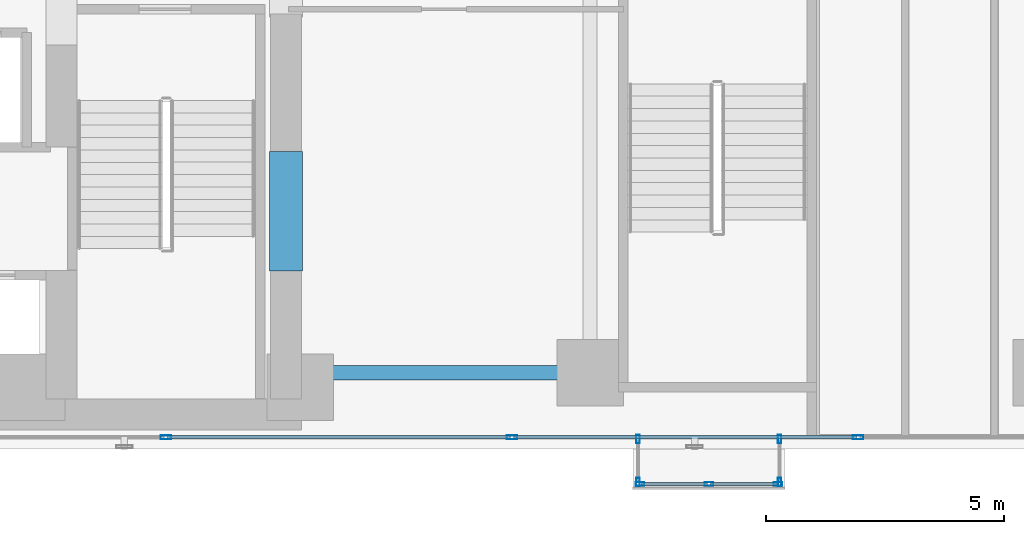
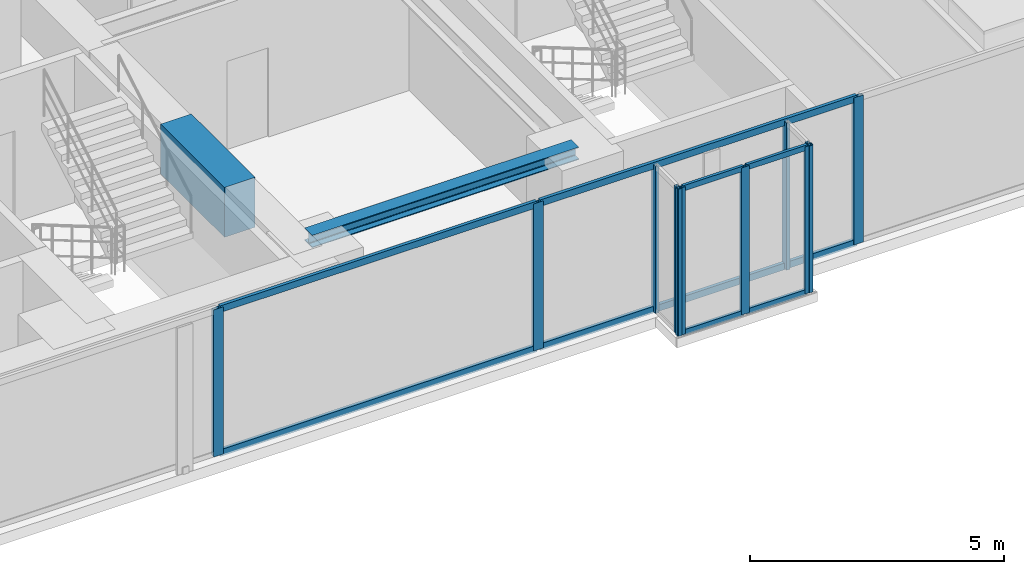
# One storey, part 4 of 24: 18 members, 2 beams, 4 elements without a shape of their own.
"""IFC4 building model written with IfcOpenShell, lengths in metres."""

from ifc_helpers import new_model, si_unit, direction, frame, origin, origin_with_axes, origin_2d, place, context, subcontext, project, spatial, rectangle, hollow_rectangle, i_section, extrude, source, transform, mapped, material, layer, layer_set, material_profile, profile_set, type_object, element, aggregate, save


model = new_model("IFC4")

# Units and contexts
model_context = context("Model", 3, precision=1e-05, world=origin(), true_north=direction((0.0, 1.0)))
body_context = subcontext(model_context, "Body", "Model", "MODEL_VIEW")
ifc_project = project(units=[si_unit("LENGTHUNIT", "METRE"), si_unit("AREAUNIT", "SQUARE_METRE"), si_unit("VOLUMEUNIT", "CUBIC_METRE"), si_unit("PLANEANGLEUNIT", "RADIAN"), si_unit("MASSUNIT", "GRAM", prefix="KILO")], contexts=[model_context])

# Site, building, storey
site_placement = place(None, origin())
site = spatial("IfcSite", under=ifc_project, at=site_placement, CompositionType="ELEMENT")
building_placement = place(site_placement, origin())
building = spatial("IfcBuilding", under=site, at=building_placement, Name="Kolvaren Waterfront Exchange", CompositionType="ELEMENT")
storey_placement = place(building_placement, frame((0.0, 0.0, 95.5)))
storey = spatial("IfcBuildingStorey", under=building, at=storey_placement, Name="L24", CompositionType="ELEMENT", Elevation=95.5)

# Beams
ifc_material_1 = material(Name="Steel S355", Category="steel")
ifc_material_profile_1 = material_profile(ifc_material_1, i_section(OverallWidth=0.300048828125, OverallDepth=0.300048828125, WebThickness=0.010986328125, FlangeThickness=0.01904296875, FilletRadius=0.027099609375, at=origin_2d()), Name="HEB300")
ifc_profile_set_1 = profile_set([ifc_material_profile_1], Name="Steel S355")
beam_type_1 = type_object("IfcBeamType", Name="STR-BM-HEB300", PredefinedType="SPANDREL", material=ifc_profile_set_1)
beam_1_placement = place(storey_placement, frame((21.125, 5.199951171875, 3.389892578125), z_axis=(1.0, 0.0, 0.0), x_axis=(0.0, 1.0, 0.0)))
element("IfcBeam", 1, at=beam_1_placement, inside=storey, type_object=beam_type_1, Name="L24 east-arm spandrel S1", PredefinedType="SPANDREL", context=body_context, shape_type="SweptSolid", body=[
    extrude(i_section(OverallWidth=0.300048828125, OverallDepth=0.300048828125, WebThickness=0.010986328125, FlangeThickness=0.01904296875, FilletRadius=0.027099609375, at=origin_2d()), origin(), (0.0, 0.0, 1.0), 6.074951171875),
])
ifc_material_2 = material(Name="Concrete C70/85", Category="concrete")
ifc_material_profile_2 = material_profile(ifc_material_2, rectangle(XDim=0.699951171875, YDim=1.199951171875, at=origin_2d()), Name="RC-CB-1200x700")
ifc_profile_set_2 = profile_set([ifc_material_profile_2], Name="Concrete C70/85")
beam_type_2 = type_object("IfcBeamType", Name="STR-CB-1200", PredefinedType="SPANDREL", material=ifc_profile_set_2)
beam_2_placement = place(storey_placement, frame((20.800048828125, 7.340087890625, 2.93994140625), z_axis=(0.0, 1.0, 0.0), x_axis=(-1.0, 0.0, 0.0)))
element("IfcBeam", 2, at=beam_2_placement, inside=storey, type_object=beam_type_2, Name="L24 core coupling beam 1", PredefinedType="SPANDREL", context=body_context, shape_type="SweptSolid", body=[
    extrude(rectangle(XDim=0.699951171875, YDim=1.199951171875, at=origin_2d()), origin(), (0.0, 0.0, 1.0), 2.52001953125),
])

# Curtain wall, members
ifc_material_3 = material(Name="Anodised bronze aluminium 6063-T6", Category="aluminium")
ifc_layer_1 = layer(ifc_material_3, 0.219970703125, Name="Anodised bronze aluminium 6063-T6")
ifc_layer_set_1 = layer_set([ifc_layer_1], Name="Anodised bronze aluminium 6063-T6")
curtain_wall_type_1 = type_object("IfcCurtainWallType", Name="ARC-CW-SYS3", PredefinedType="USERDEFINED", material=ifc_layer_set_1)
curtain_wall_1_placement = place(storey_placement, origin())
curtain_wall_1 = element("IfcCurtainWall", 3, at=curtain_wall_1_placement, inside=storey, type_object=curtain_wall_type_1, Name="L24 stick curtain wall CW3 (CW-L24-BOX-W)", ObjectType="STICK CURTAIN WALL", PredefinedType="USERDEFINED")
ifc_material_profile_3 = material_profile(ifc_material_3, hollow_rectangle(XDim=0.074951171875, YDim=0.179931640625, WallThickness=0.00439453125, at=origin_2d()), Name="ALU-MUL-180x75x4.5")
ifc_profile_set_3 = profile_set([ifc_material_profile_3], Name="Anodised bronze aluminium 6063-T6")
member_type_1 = type_object("IfcMemberType", Name="ARC-CWM-180", PredefinedType="MULLION", material=ifc_profile_set_3)
shared_shape_1 = source(origin_with_axes(), body_context, "Body", "SweptSolid", [
    extrude(hollow_rectangle(XDim=0.074951171875, YDim=0.179931640625, WallThickness=0.00439453125, at=origin_2d()), origin(), (0.0, 0.0, 1.0), 3.5400390625),
])
member_1_placement = place(storey_placement, frame((28.2099609375, 3.802490234375, 0.0), z_axis=(0.0, 0.0, 1.0), x_axis=(1.0, 0.0, 0.0)))
member_1 = element("IfcMember", 4, at=member_1_placement, type_object=member_type_1, Name="CW3 mullion 1", PredefinedType="MULLION", context=body_context, shape_type="MappedRepresentation", body=[
    mapped(shared_shape_1, transform((0.0, 0.0, 0.0), x_axis=(1.0, 0.0, 0.0), y_axis=(0.0, 1.0, 0.0), z_axis=(0.0, 0.0, 1.0), scale=1.0)),
])
member_2_placement = place(storey_placement, frame((28.2099609375, 2.8974609375, 0.0), z_axis=(0.0, 0.0, 1.0), x_axis=(1.0, 0.0, 0.0)))
member_2 = element("IfcMember", 5, at=member_2_placement, type_object=member_type_1, Name="CW3 mullion 2", PredefinedType="MULLION", context=body_context, shape_type="MappedRepresentation", body=[
    mapped(shared_shape_1, transform((0.0, 0.0, 0.0), x_axis=(1.0, 0.0, 0.0), y_axis=(0.0, 1.0, 0.0), z_axis=(0.0, 0.0, 1.0), scale=1.0)),
])
aggregate(curtain_wall_1, [member_1, member_2])

curtain_wall_2_placement = place(storey_placement, origin())
curtain_wall_2 = element("IfcCurtainWall", 6, at=curtain_wall_2_placement, inside=storey, type_object=curtain_wall_type_1, Name="L24 stick curtain wall CW3 (CW-L24-BOX)", ObjectType="STICK CURTAIN WALL", PredefinedType="USERDEFINED")
member_3_placement = place(storey_placement, frame((28.24755859375, 2.860107421875, 0.0), z_axis=(0.0, 0.0, 1.0), x_axis=(0.0, 1.0, 0.0)))
member_3 = element("IfcMember", 7, at=member_3_placement, type_object=member_type_1, Name="CW3 mullion 1", PredefinedType="MULLION", context=body_context, shape_type="MappedRepresentation", body=[
    mapped(shared_shape_1, transform((0.0, 0.0, 0.0), x_axis=(1.0, 0.0, 0.0), y_axis=(0.0, 1.0, 0.0), z_axis=(0.0, 0.0, 1.0), scale=1.0)),
])
member_4_placement = place(storey_placement, frame((29.699951171875, 2.860107421875, 0.0), z_axis=(0.0, 0.0, 1.0), x_axis=(0.0, 1.0, 0.0)))
member_4 = element("IfcMember", 8, at=member_4_placement, type_object=member_type_1, Name="CW3 mullion 2", PredefinedType="MULLION", context=body_context, shape_type="MappedRepresentation", body=[
    mapped(shared_shape_1, transform((0.0, 0.0, 0.0), x_axis=(1.0, 0.0, 0.0), y_axis=(0.0, 1.0, 0.0), z_axis=(0.0, 0.0, 1.0), scale=1.0)),
])
member_5_placement = place(storey_placement, frame((31.152587890625, 2.860107421875, 0.0), z_axis=(0.0, 0.0, 1.0), x_axis=(0.0, 1.0, 0.0)))
member_5 = element("IfcMember", 9, at=member_5_placement, type_object=member_type_1, Name="CW3 mullion 3", PredefinedType="MULLION", context=body_context, shape_type="MappedRepresentation", body=[
    mapped(shared_shape_1, transform((0.0, 0.0, 0.0), x_axis=(1.0, 0.0, 0.0), y_axis=(0.0, 1.0, 0.0), z_axis=(0.0, 0.0, 1.0), scale=1.0)),
])

curtain_wall_3_placement = place(storey_placement, origin())
curtain_wall_3 = element("IfcCurtainWall", 10, at=curtain_wall_3_placement, inside=storey, type_object=curtain_wall_type_1, Name="L24 stick curtain wall CW3 (CW-L24-BOX-E)", ObjectType="STICK CURTAIN WALL", PredefinedType="USERDEFINED")
member_6_placement = place(storey_placement, frame((31.18994140625, 2.8974609375, 0.0), z_axis=(0.0, 0.0, 1.0), x_axis=(-1.0, 0.0, 0.0)))
member_6 = element("IfcMember", 11, at=member_6_placement, type_object=member_type_1, Name="CW3 mullion 1", PredefinedType="MULLION", context=body_context, shape_type="MappedRepresentation", body=[
    mapped(shared_shape_1, transform((0.0, 0.0, 0.0), x_axis=(1.0, 0.0, 0.0), y_axis=(0.0, 1.0, 0.0), z_axis=(0.0, 0.0, 1.0), scale=1.0)),
])
member_7_placement = place(storey_placement, frame((31.18994140625, 3.802490234375, 0.0), z_axis=(0.0, 0.0, 1.0), x_axis=(-1.0, 0.0, 0.0)))
member_7 = element("IfcMember", 12, at=member_7_placement, type_object=member_type_1, Name="CW3 mullion 2", PredefinedType="MULLION", context=body_context, shape_type="MappedRepresentation", body=[
    mapped(shared_shape_1, transform((0.0, 0.0, 0.0), x_axis=(1.0, 0.0, 0.0), y_axis=(0.0, 1.0, 0.0), z_axis=(0.0, 0.0, 1.0), scale=1.0)),
])
aggregate(curtain_wall_3, [member_6, member_7])

# Member
ifc_material_profile_4 = material_profile(ifc_material_3, hollow_rectangle(XDim=0.06494140625, YDim=0.1298828125, WallThickness=0.00390625, at=origin_2d()), Name="ALU-TRN-130x65x4")
ifc_profile_set_4 = profile_set([ifc_material_profile_4], Name="Anodised bronze aluminium 6063-T6")
member_type_2 = type_object("IfcMemberType", Name="ARC-CWT-130", PredefinedType="USERDEFINED", material=ifc_profile_set_4)
shared_shape_2 = source(origin_with_axes(), body_context, "Body", "SweptSolid", [
    extrude(hollow_rectangle(XDim=0.06494140625, YDim=0.1298828125, WallThickness=0.00390625, at=origin_2d()), origin(), (0.0, 0.0, 1.0), 1.377685546875),
])
member_8_placement = place(storey_placement, frame((28.284912109375, 2.860107421875, 0.032470703125), z_axis=(1.0, 0.0, 0.0), x_axis=(0.0, 1.0, 0.0)))
member_8 = element("IfcMember", 13, at=member_8_placement, type_object=member_type_2, Name="CW3 transom 1.1", ObjectType="TRANSOM", PredefinedType="USERDEFINED", context=body_context, shape_type="MappedRepresentation", body=[
    mapped(shared_shape_2, transform((0.0, 0.0, 0.0), x_axis=(1.0, 0.0, 0.0), y_axis=(0.0, 1.0, 0.0), z_axis=(0.0, 0.0, 1.0), scale=1.0)),
])

member_9_placement = place(storey_placement, frame((28.284912109375, 2.860107421875, 3.507568359375), z_axis=(1.0, 0.0, 0.0), x_axis=(0.0, 1.0, 0.0)))
member_9 = element("IfcMember", 14, at=member_9_placement, type_object=member_type_2, Name="CW3 transom 1.2", ObjectType="TRANSOM", PredefinedType="USERDEFINED", context=body_context, shape_type="MappedRepresentation", body=[
    mapped(shared_shape_2, transform((0.0, 0.0, 0.0), x_axis=(1.0, 0.0, 0.0), y_axis=(0.0, 1.0, 0.0), z_axis=(0.0, 0.0, 1.0), scale=1.0)),
])

shared_shape_3 = source(origin_with_axes(), body_context, "Body", "SweptSolid", [
    extrude(hollow_rectangle(XDim=0.06494140625, YDim=0.1298828125, WallThickness=0.00390625, at=origin_2d()), origin(), (0.0, 0.0, 1.0), 1.37744140625),
])
member_10_placement = place(storey_placement, frame((29.737548828125, 2.860107421875, 0.032470703125), z_axis=(1.0, 0.0, 0.0), x_axis=(0.0, 1.0, 0.0)))
member_10 = element("IfcMember", 15, at=member_10_placement, type_object=member_type_2, Name="CW3 transom 2.1", ObjectType="TRANSOM", PredefinedType="USERDEFINED", context=body_context, shape_type="MappedRepresentation", body=[
    mapped(shared_shape_3, transform((0.0, 0.0, 0.0), x_axis=(1.0, 0.0, 0.0), y_axis=(0.0, 1.0, 0.0), z_axis=(0.0, 0.0, 1.0), scale=1.0)),
])

member_11_placement = place(storey_placement, frame((29.737548828125, 2.860107421875, 3.507568359375), z_axis=(1.0, 0.0, 0.0), x_axis=(0.0, 1.0, 0.0)))
member_11 = element("IfcMember", 16, at=member_11_placement, type_object=member_type_2, Name="CW3 transom 2.2", ObjectType="TRANSOM", PredefinedType="USERDEFINED", context=body_context, shape_type="MappedRepresentation", body=[
    mapped(shared_shape_3, transform((0.0, 0.0, 0.0), x_axis=(1.0, 0.0, 0.0), y_axis=(0.0, 1.0, 0.0), z_axis=(0.0, 0.0, 1.0), scale=1.0)),
])

aggregate(curtain_wall_2, [member_3, member_4, member_5, member_8, member_9, member_10, member_11])

# Curtain wall, members
ifc_layer_2 = layer(ifc_material_3, 0.219970703125, Name="Anodised bronze aluminium 6063-T6")
ifc_layer_set_2 = layer_set([ifc_layer_2], Name="Anodised bronze aluminium 6063-T6")
curtain_wall_type_2 = type_object("IfcCurtainWallType", Name="ARC-CW-SYS1", PredefinedType="USERDEFINED", material=ifc_layer_set_2)
curtain_wall_4_placement = place(storey_placement, origin())
curtain_wall_4 = element("IfcCurtainWall", 17, at=curtain_wall_4_placement, inside=storey, type_object=curtain_wall_type_2, Name="L24 stick curtain wall CW1 (CW-L24-S)", ObjectType="STICK CURTAIN WALL", PredefinedType="USERDEFINED")
ifc_material_4 = material(Name="Anodised aluminium 6063-T6", Category="aluminium")
ifc_material_profile_5 = material_profile(ifc_material_4, hollow_rectangle(XDim=0.080078125, YDim=0.219970703125, WallThickness=0.0048828125, at=origin_2d()), Name="ALU-MUL-220x80x5")
ifc_profile_set_5 = profile_set([ifc_material_profile_5], Name="Anodised aluminium 6063-T6")
member_type_3 = type_object("IfcMemberType", Name="ARC-CWM-220", PredefinedType="MULLION", material=ifc_profile_set_5)
shared_shape_4 = source(origin_with_axes(), body_context, "Body", "SweptSolid", [
    extrude(hollow_rectangle(XDim=0.080078125, YDim=0.219970703125, WallThickness=0.0048828125, at=origin_2d()), origin(), (0.0, 0.0, 1.0), 3.5400390625),
])
member_12_placement = place(storey_placement, frame((18.271484375, 3.840087890625, 0.0), z_axis=(0.0, 0.0, 1.0), x_axis=(0.0, 1.0, 0.0)))
member_12 = element("IfcMember", 18, at=member_12_placement, type_object=member_type_3, Name="CW1 mullion 3", PredefinedType="MULLION", context=body_context, shape_type="MappedRepresentation", body=[
    mapped(shared_shape_4, transform((0.0, 0.0, 0.0), x_axis=(1.0, 0.0, 0.0), y_axis=(0.0, 1.0, 0.0), z_axis=(0.0, 0.0, 1.0), scale=1.0)),
])
member_13_placement = place(storey_placement, frame((25.55712890625, 3.840087890625, 0.0), z_axis=(0.0, 0.0, 1.0), x_axis=(0.0, 1.0, 0.0)))
member_13 = element("IfcMember", 19, at=member_13_placement, type_object=member_type_3, Name="CW1 mullion 4", PredefinedType="MULLION", context=body_context, shape_type="MappedRepresentation", body=[
    mapped(shared_shape_4, transform((0.0, 0.0, 0.0), x_axis=(1.0, 0.0, 0.0), y_axis=(0.0, 1.0, 0.0), z_axis=(0.0, 0.0, 1.0), scale=1.0)),
])
member_14_placement = place(storey_placement, frame((32.8427734375, 3.840087890625, 0.0), z_axis=(0.0, 0.0, 1.0), x_axis=(0.0, 1.0, 0.0)))
member_14 = element("IfcMember", 20, at=member_14_placement, type_object=member_type_3, Name="CW1 mullion 5", PredefinedType="MULLION", context=body_context, shape_type="MappedRepresentation", body=[
    mapped(shared_shape_4, transform((0.0, 0.0, 0.0), x_axis=(1.0, 0.0, 0.0), y_axis=(0.0, 1.0, 0.0), z_axis=(0.0, 0.0, 1.0), scale=1.0)),
])
ifc_material_profile_6 = material_profile(ifc_material_4, hollow_rectangle(XDim=0.074951171875, YDim=0.159912109375, WallThickness=0.00439453125, at=origin_2d()), Name="ALU-TRN-160x75x4.5")
ifc_profile_set_6 = profile_set([ifc_material_profile_6], Name="Anodised aluminium 6063-T6")
member_type_4 = type_object("IfcMemberType", Name="ARC-CWT-160", PredefinedType="USERDEFINED", material=ifc_profile_set_6)
shared_shape_5 = source(origin_with_axes(), body_context, "Body", "SweptSolid", [
    extrude(hollow_rectangle(XDim=0.074951171875, YDim=0.159912109375, WallThickness=0.00439453125, at=origin_2d()), origin(), (0.0, 0.0, 1.0), 7.205810546875),
])
member_15_placement = place(storey_placement, frame((25.59716796875, 3.840087890625, 0.03759765625), z_axis=(1.0, 0.0, 0.0), x_axis=(0.0, 1.0, 0.0)))
member_15 = element("IfcMember", 21, at=member_15_placement, type_object=member_type_4, Name="CW1 transom 4.1", ObjectType="TRANSOM", PredefinedType="USERDEFINED", context=body_context, shape_type="MappedRepresentation", body=[
    mapped(shared_shape_5, transform((0.0, 0.0, 0.0), x_axis=(1.0, 0.0, 0.0), y_axis=(0.0, 1.0, 0.0), z_axis=(0.0, 0.0, 1.0), scale=1.0)),
])
member_16_placement = place(storey_placement, frame((25.59716796875, 3.840087890625, 3.50244140625), z_axis=(1.0, 0.0, 0.0), x_axis=(0.0, 1.0, 0.0)))
member_16 = element("IfcMember", 22, at=member_16_placement, type_object=member_type_4, Name="CW1 transom 4.2", ObjectType="TRANSOM", PredefinedType="USERDEFINED", context=body_context, shape_type="MappedRepresentation", body=[
    mapped(shared_shape_5, transform((0.0, 0.0, 0.0), x_axis=(1.0, 0.0, 0.0), y_axis=(0.0, 1.0, 0.0), z_axis=(0.0, 0.0, 1.0), scale=1.0)),
])
shared_shape_6 = source(origin_with_axes(), body_context, "Body", "SweptSolid", [
    extrude(hollow_rectangle(XDim=0.074951171875, YDim=0.159912109375, WallThickness=0.00439453125, at=origin_2d()), origin(), (0.0, 0.0, 1.0), 7.20556640625),
])
member_17_placement = place(storey_placement, frame((18.3115234375, 3.840087890625, 0.03759765625), z_axis=(1.0, 0.0, 0.0), x_axis=(0.0, 1.0, 0.0)))
member_17 = element("IfcMember", 23, at=member_17_placement, type_object=member_type_4, Name="CW1 transom 3.1", ObjectType="TRANSOM", PredefinedType="USERDEFINED", context=body_context, shape_type="MappedRepresentation", body=[
    mapped(shared_shape_6, transform((0.0, 0.0, 0.0), x_axis=(1.0, 0.0, 0.0), y_axis=(0.0, 1.0, 0.0), z_axis=(0.0, 0.0, 1.0), scale=1.0)),
])
member_18_placement = place(storey_placement, frame((18.3115234375, 3.840087890625, 3.50244140625), z_axis=(1.0, 0.0, 0.0), x_axis=(0.0, 1.0, 0.0)))
member_18 = element("IfcMember", 24, at=member_18_placement, type_object=member_type_4, Name="CW1 transom 3.2", ObjectType="TRANSOM", PredefinedType="USERDEFINED", context=body_context, shape_type="MappedRepresentation", body=[
    mapped(shared_shape_6, transform((0.0, 0.0, 0.0), x_axis=(1.0, 0.0, 0.0), y_axis=(0.0, 1.0, 0.0), z_axis=(0.0, 0.0, 1.0), scale=1.0)),
])
aggregate(curtain_wall_4, [member_12, member_13, member_14, member_17, member_18, member_15, member_16])

save(model, "model.ifc")
